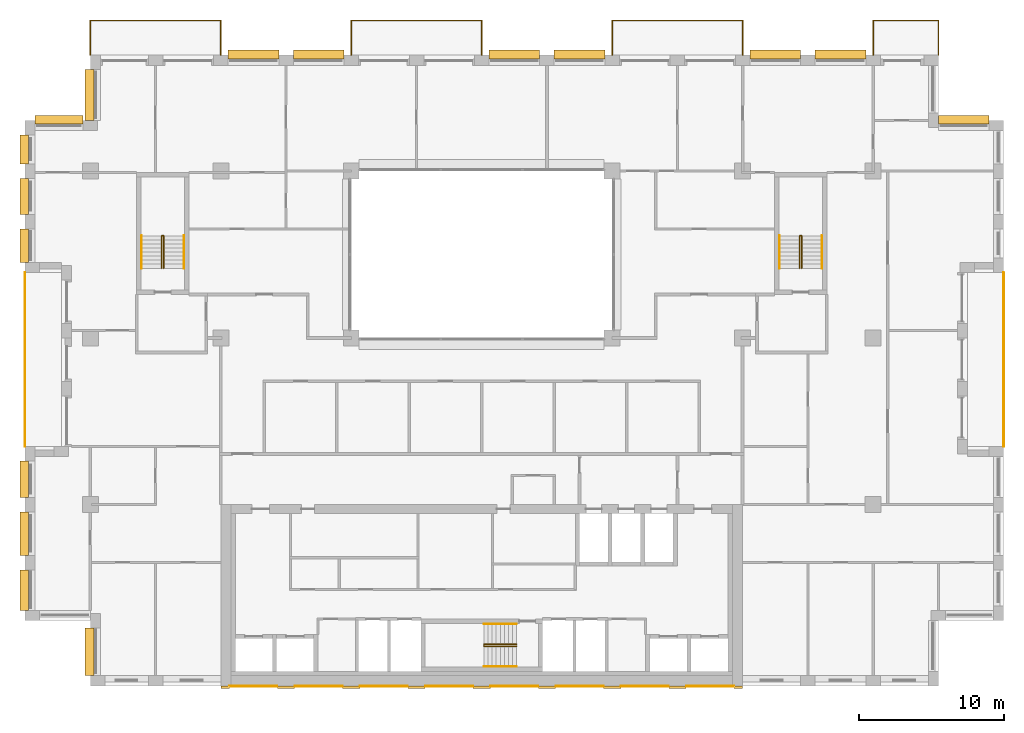
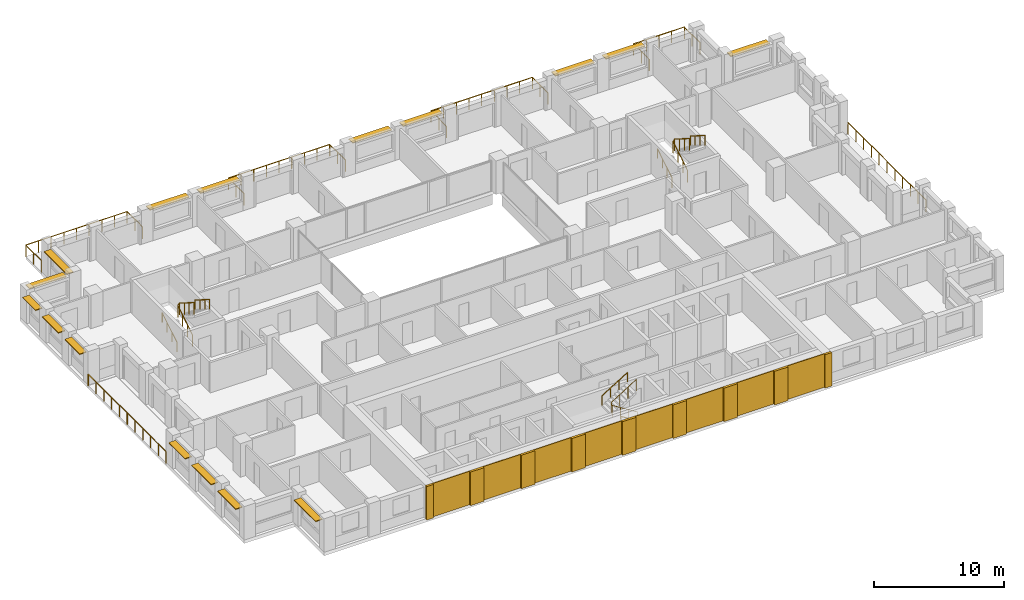
# One storey, part 15 of 15: 17 coverings, 16 shading devices, 15 railings.
"""IFC4 building model written with IfcOpenShell, lengths in metres."""

from ifc_helpers import new_model, si_unit, direction, frame, origin, origin_2d, place, context, subcontext, project, spatial, rectangle, circle, extrude, material, layer, layer_set, type_object, element, save


model = new_model("IFC4")

# Units and contexts
model_context = context("Model", 3, precision=1e-05, world=origin(), true_north=direction((0.0, 1.0)))
body_context = subcontext(model_context, "Body", "Model", "MODEL_VIEW")
ifc_project = project(units=[si_unit("LENGTHUNIT", "METRE"), si_unit("AREAUNIT", "SQUARE_METRE"), si_unit("VOLUMEUNIT", "CUBIC_METRE"), si_unit("PLANEANGLEUNIT", "RADIAN"), si_unit("MASSUNIT", "GRAM", prefix="KILO")], contexts=[model_context])

# Site, building, storey
site_placement = place(None, origin())
site = spatial("IfcSite", under=ifc_project, at=site_placement, CompositionType="ELEMENT")
building_placement = place(site_placement, origin())
building = spatial("IfcBuilding", under=site, at=building_placement, Name="Brigalow Station Residences", CompositionType="ELEMENT")
storey_placement = place(building_placement, frame((0.0, 0.0, 150.75)))
storey = spatial("IfcBuildingStorey", under=building, at=storey_placement, Name="L43", CompositionType="ELEMENT", Elevation=150.75)

# Railings
ifc_material_1 = material(Name="Stainless steel balustrade with laminated glass infill", Category="steel")
railing_type_1 = type_object("IfcRailingType", Name="BALCONY GUARD 1100", PredefinedType="GUARDRAIL", material=ifc_material_1)
railing_1_placement = place(storey_placement, frame((72.0, 16.5, -0.0400390625)))
element("IfcRailing", 1, at=railing_1_placement, inside=storey, type_object=railing_type_1, Name="L43/balcony-guard/1", PredefinedType="GUARDRAIL", context=body_context, shape_type="SweptSolid", body=[
    extrude(circle(Radius=0.02392578125, at=origin_2d()), frame((0.0, 0.0, 1.076171875), z_axis=(0.0, 1.0, 0.0), x_axis=(-1.0, 0.0, 0.0)), (0.0, 0.0, 1.0), 12.0),
    extrude(circle(Radius=0.02099609375, at=origin_2d()), origin(), (0.0, 0.0, 1.0), 1.052001953125),
    extrude(circle(Radius=0.02099609375, at=origin_2d()), frame((0.0, 1.199951171875, 0.0)), (0.0, 0.0, 1.0), 1.052001953125),
    extrude(circle(Radius=0.02099609375, at=origin_2d()), frame((0.0, 2.39990234375, 0.0)), (0.0, 0.0, 1.0), 1.052001953125),
    extrude(circle(Radius=0.02099609375, at=origin_2d()), frame((0.0, 3.60009765625, 0.0)), (0.0, 0.0, 1.0), 1.052001953125),
    extrude(circle(Radius=0.02099609375, at=origin_2d()), frame((0.0, 4.800048828125, 0.0)), (0.0, 0.0, 1.0), 1.052001953125),
    extrude(circle(Radius=0.02099609375, at=origin_2d()), frame((0.0, 6.0, 0.0)), (0.0, 0.0, 1.0), 1.052001953125),
    extrude(circle(Radius=0.02099609375, at=origin_2d()), frame((0.0, 7.199951171875, 0.0)), (0.0, 0.0, 1.0), 1.052001953125),
    extrude(circle(Radius=0.02099609375, at=origin_2d()), frame((0.0, 8.39990234375, 0.0)), (0.0, 0.0, 1.0), 1.052001953125),
    extrude(circle(Radius=0.02099609375, at=origin_2d()), frame((0.0, 9.60009765625, 0.0)), (0.0, 0.0, 1.0), 1.052001953125),
    extrude(circle(Radius=0.02099609375, at=origin_2d()), frame((0.0, 10.800048828125, 0.0)), (0.0, 0.0, 1.0), 1.052001953125),
    extrude(circle(Radius=0.02099609375, at=origin_2d()), frame((0.0, 12.0, 0.0)), (0.0, 0.0, 1.0), 1.052001953125),
])
railing_2_placement = place(storey_placement, frame((67.5, 43.5, -0.0400390625)))
element("IfcRailing", 2, at=railing_2_placement, inside=storey, type_object=railing_type_1, Name="L43/balcony-guard/2", PredefinedType="GUARDRAIL", context=body_context, shape_type="SweptSolid", body=[
    extrude(circle(Radius=0.02392578125, at=origin_2d()), frame((0.0, 0.0, 1.076171875), z_axis=(0.0, 1.0, 0.0), x_axis=(-1.0, 0.0, 0.0)), (0.0, 0.0, 1.0), 2.39990234375),
    extrude(circle(Radius=0.02392578125, at=origin_2d()), frame((0.0, 2.39990234375, 1.076171875), z_axis=(-1.0, 0.0, 0.0), x_axis=(0.0, -1.0, 0.0)), (0.0, 0.0, 1.0), 4.5),
    extrude(circle(Radius=0.02392578125, at=origin_2d()), frame((-4.5, 2.39990234375, 1.076171875), z_axis=(0.0, -1.0, 0.0), x_axis=(1.0, 0.0, 0.0)), (0.0, 0.0, 1.0), 2.39990234375),
    extrude(circle(Radius=0.02099609375, at=origin_2d()), origin(), (0.0, 0.0, 1.0), 1.052001953125),
    extrude(circle(Radius=0.02099609375, at=origin_2d()), frame((0.0, 1.199951171875, 0.0)), (0.0, 0.0, 1.0), 1.052001953125),
    extrude(circle(Radius=0.02099609375, at=origin_2d()), frame((0.0, 2.39990234375, 0.0)), (0.0, 0.0, 1.0), 1.052001953125),
    extrude(circle(Radius=0.02099609375, at=origin_2d()), frame((-1.125, 2.39990234375, 0.0)), (0.0, 0.0, 1.0), 1.052001953125),
    extrude(circle(Radius=0.02099609375, at=origin_2d()), frame((-2.25, 2.39990234375, 0.0)), (0.0, 0.0, 1.0), 1.052001953125),
    extrude(circle(Radius=0.02099609375, at=origin_2d()), frame((-3.375, 2.39990234375, 0.0)), (0.0, 0.0, 1.0), 1.052001953125),
    extrude(circle(Radius=0.02099609375, at=origin_2d()), frame((-4.5, 2.39990234375, 0.0)), (0.0, 0.0, 1.0), 1.052001953125),
    extrude(circle(Radius=0.02099609375, at=origin_2d()), frame((-4.5, 1.199951171875, 0.0)), (0.0, 0.0, 1.0), 1.052001953125),
    extrude(circle(Radius=0.02099609375, at=origin_2d()), frame((-4.5, 0.0, 0.0)), (0.0, 0.0, 1.0), 1.052001953125),
])
railing_3_placement = place(storey_placement, frame((54.0, 43.5, -0.0400390625)))
element("IfcRailing", 3, at=railing_3_placement, inside=storey, type_object=railing_type_1, Name="L43/balcony-guard/3", PredefinedType="GUARDRAIL", context=body_context, shape_type="SweptSolid", body=[
    extrude(circle(Radius=0.02392578125, at=origin_2d()), frame((0.0, 0.0, 1.076171875), z_axis=(0.0, 1.0, 0.0), x_axis=(-1.0, 0.0, 0.0)), (0.0, 0.0, 1.0), 2.39990234375),
    extrude(circle(Radius=0.02392578125, at=origin_2d()), frame((0.0, 2.39990234375, 1.076171875), z_axis=(-1.0, 0.0, 0.0), x_axis=(0.0, -1.0, 0.0)), (0.0, 0.0, 1.0), 9.0),
    extrude(circle(Radius=0.02392578125, at=origin_2d()), frame((-9.0, 2.39990234375, 1.076171875), z_axis=(0.0, -1.0, 0.0), x_axis=(1.0, 0.0, 0.0)), (0.0, 0.0, 1.0), 2.39990234375),
    extrude(circle(Radius=0.02099609375, at=origin_2d()), origin(), (0.0, 0.0, 1.0), 1.052001953125),
    extrude(circle(Radius=0.02099609375, at=origin_2d()), frame((0.0, 1.199951171875, 0.0)), (0.0, 0.0, 1.0), 1.052001953125),
    extrude(circle(Radius=0.02099609375, at=origin_2d()), frame((0.0, 2.39990234375, 0.0)), (0.0, 0.0, 1.0), 1.052001953125),
    extrude(circle(Radius=0.02099609375, at=origin_2d()), frame((-1.125, 2.39990234375, 0.0)), (0.0, 0.0, 1.0), 1.052001953125),
    extrude(circle(Radius=0.02099609375, at=origin_2d()), frame((-2.25, 2.39990234375, 0.0)), (0.0, 0.0, 1.0), 1.052001953125),
    extrude(circle(Radius=0.02099609375, at=origin_2d()), frame((-3.375, 2.39990234375, 0.0)), (0.0, 0.0, 1.0), 1.052001953125),
    extrude(circle(Radius=0.02099609375, at=origin_2d()), frame((-4.5, 2.39990234375, 0.0)), (0.0, 0.0, 1.0), 1.052001953125),
    extrude(circle(Radius=0.02099609375, at=origin_2d()), frame((-5.625, 2.39990234375, 0.0)), (0.0, 0.0, 1.0), 1.052001953125),
    extrude(circle(Radius=0.02099609375, at=origin_2d()), frame((-6.75, 2.39990234375, 0.0)), (0.0, 0.0, 1.0), 1.052001953125),
    extrude(circle(Radius=0.02099609375, at=origin_2d()), frame((-7.875, 2.39990234375, 0.0)), (0.0, 0.0, 1.0), 1.052001953125),
    extrude(circle(Radius=0.02099609375, at=origin_2d()), frame((-9.0, 2.39990234375, 0.0)), (0.0, 0.0, 1.0), 1.052001953125),
    extrude(circle(Radius=0.02099609375, at=origin_2d()), frame((-9.0, 1.199951171875, 0.0)), (0.0, 0.0, 1.0), 1.052001953125),
    extrude(circle(Radius=0.02099609375, at=origin_2d()), frame((-9.0, 0.0, 0.0)), (0.0, 0.0, 1.0), 1.052001953125),
])
railing_4_placement = place(storey_placement, frame((36.0, 43.5, -0.0400390625)))
element("IfcRailing", 4, at=railing_4_placement, inside=storey, type_object=railing_type_1, Name="L43/balcony-guard/4", PredefinedType="GUARDRAIL", context=body_context, shape_type="SweptSolid", body=[
    extrude(circle(Radius=0.02392578125, at=origin_2d()), frame((0.0, 0.0, 1.076171875), z_axis=(0.0, 1.0, 0.0), x_axis=(-1.0, 0.0, 0.0)), (0.0, 0.0, 1.0), 2.39990234375),
    extrude(circle(Radius=0.02392578125, at=origin_2d()), frame((0.0, 2.39990234375, 1.076171875), z_axis=(-1.0, 0.0, 0.0), x_axis=(0.0, -1.0, 0.0)), (0.0, 0.0, 1.0), 9.0),
    extrude(circle(Radius=0.02392578125, at=origin_2d()), frame((-9.0, 2.39990234375, 1.076171875), z_axis=(0.0, -1.0, 0.0), x_axis=(1.0, 0.0, 0.0)), (0.0, 0.0, 1.0), 2.39990234375),
    extrude(circle(Radius=0.02099609375, at=origin_2d()), origin(), (0.0, 0.0, 1.0), 1.052001953125),
    extrude(circle(Radius=0.02099609375, at=origin_2d()), frame((0.0, 1.199951171875, 0.0)), (0.0, 0.0, 1.0), 1.052001953125),
    extrude(circle(Radius=0.02099609375, at=origin_2d()), frame((0.0, 2.39990234375, 0.0)), (0.0, 0.0, 1.0), 1.052001953125),
    extrude(circle(Radius=0.02099609375, at=origin_2d()), frame((-1.125, 2.39990234375, 0.0)), (0.0, 0.0, 1.0), 1.052001953125),
    extrude(circle(Radius=0.02099609375, at=origin_2d()), frame((-2.25, 2.39990234375, 0.0)), (0.0, 0.0, 1.0), 1.052001953125),
    extrude(circle(Radius=0.02099609375, at=origin_2d()), frame((-3.375, 2.39990234375, 0.0)), (0.0, 0.0, 1.0), 1.052001953125),
    extrude(circle(Radius=0.02099609375, at=origin_2d()), frame((-4.5, 2.39990234375, 0.0)), (0.0, 0.0, 1.0), 1.052001953125),
    extrude(circle(Radius=0.02099609375, at=origin_2d()), frame((-5.625, 2.39990234375, 0.0)), (0.0, 0.0, 1.0), 1.052001953125),
    extrude(circle(Radius=0.02099609375, at=origin_2d()), frame((-6.75, 2.39990234375, 0.0)), (0.0, 0.0, 1.0), 1.052001953125),
    extrude(circle(Radius=0.02099609375, at=origin_2d()), frame((-7.875, 2.39990234375, 0.0)), (0.0, 0.0, 1.0), 1.052001953125),
    extrude(circle(Radius=0.02099609375, at=origin_2d()), frame((-9.0, 2.39990234375, 0.0)), (0.0, 0.0, 1.0), 1.052001953125),
    extrude(circle(Radius=0.02099609375, at=origin_2d()), frame((-9.0, 1.199951171875, 0.0)), (0.0, 0.0, 1.0), 1.052001953125),
    extrude(circle(Radius=0.02099609375, at=origin_2d()), frame((-9.0, 0.0, 0.0)), (0.0, 0.0, 1.0), 1.052001953125),
])
railing_5_placement = place(storey_placement, frame((18.0, 43.5, -0.0400390625)))
element("IfcRailing", 5, at=railing_5_placement, inside=storey, type_object=railing_type_1, Name="L43/balcony-guard/5", PredefinedType="GUARDRAIL", context=body_context, shape_type="SweptSolid", body=[
    extrude(circle(Radius=0.02392578125, at=origin_2d()), frame((0.0, 0.0, 1.076171875), z_axis=(0.0, 1.0, 0.0), x_axis=(-1.0, 0.0, 0.0)), (0.0, 0.0, 1.0), 2.39990234375),
    extrude(circle(Radius=0.02392578125, at=origin_2d()), frame((0.0, 2.39990234375, 1.076171875), z_axis=(-1.0, 0.0, 0.0), x_axis=(0.0, -1.0, 0.0)), (0.0, 0.0, 1.0), 9.0),
    extrude(circle(Radius=0.02392578125, at=origin_2d()), frame((-9.0, 2.39990234375, 1.076171875), z_axis=(0.0, -1.0, 0.0), x_axis=(1.0, 0.0, 0.0)), (0.0, 0.0, 1.0), 2.39990234375),
    extrude(circle(Radius=0.02099609375, at=origin_2d()), origin(), (0.0, 0.0, 1.0), 1.052001953125),
    extrude(circle(Radius=0.02099609375, at=origin_2d()), frame((0.0, 1.199951171875, 0.0)), (0.0, 0.0, 1.0), 1.052001953125),
    extrude(circle(Radius=0.02099609375, at=origin_2d()), frame((0.0, 2.39990234375, 0.0)), (0.0, 0.0, 1.0), 1.052001953125),
    extrude(circle(Radius=0.02099609375, at=origin_2d()), frame((-1.125, 2.39990234375, 0.0)), (0.0, 0.0, 1.0), 1.052001953125),
    extrude(circle(Radius=0.02099609375, at=origin_2d()), frame((-2.25, 2.39990234375, 0.0)), (0.0, 0.0, 1.0), 1.052001953125),
    extrude(circle(Radius=0.02099609375, at=origin_2d()), frame((-3.375, 2.39990234375, 0.0)), (0.0, 0.0, 1.0), 1.052001953125),
    extrude(circle(Radius=0.02099609375, at=origin_2d()), frame((-4.5, 2.39990234375, 0.0)), (0.0, 0.0, 1.0), 1.052001953125),
    extrude(circle(Radius=0.02099609375, at=origin_2d()), frame((-5.625, 2.39990234375, 0.0)), (0.0, 0.0, 1.0), 1.052001953125),
    extrude(circle(Radius=0.02099609375, at=origin_2d()), frame((-6.75, 2.39990234375, 0.0)), (0.0, 0.0, 1.0), 1.052001953125),
    extrude(circle(Radius=0.02099609375, at=origin_2d()), frame((-7.875, 2.39990234375, 0.0)), (0.0, 0.0, 1.0), 1.052001953125),
    extrude(circle(Radius=0.02099609375, at=origin_2d()), frame((-9.0, 2.39990234375, 0.0)), (0.0, 0.0, 1.0), 1.052001953125),
    extrude(circle(Radius=0.02099609375, at=origin_2d()), frame((-9.0, 1.199951171875, 0.0)), (0.0, 0.0, 1.0), 1.052001953125),
    extrude(circle(Radius=0.02099609375, at=origin_2d()), frame((-9.0, 0.0, 0.0)), (0.0, 0.0, 1.0), 1.052001953125),
])
railing_6_placement = place(storey_placement, frame((4.5, 28.5, -0.0400390625)))
element("IfcRailing", 6, at=railing_6_placement, inside=storey, type_object=railing_type_1, Name="L43/balcony-guard/6", PredefinedType="GUARDRAIL", context=body_context, shape_type="SweptSolid", body=[
    extrude(circle(Radius=0.02392578125, at=origin_2d()), frame((0.0, 0.0, 1.076171875), z_axis=(0.0, -1.0, 0.0), x_axis=(1.0, 0.0, 0.0)), (0.0, 0.0, 1.0), 12.0),
    extrude(circle(Radius=0.02099609375, at=origin_2d()), origin(), (0.0, 0.0, 1.0), 1.052001953125),
    extrude(circle(Radius=0.02099609375, at=origin_2d()), frame((0.0, -1.199951171875, 0.0)), (0.0, 0.0, 1.0), 1.052001953125),
    extrude(circle(Radius=0.02099609375, at=origin_2d()), frame((0.0, -2.39990234375, 0.0)), (0.0, 0.0, 1.0), 1.052001953125),
    extrude(circle(Radius=0.02099609375, at=origin_2d()), frame((0.0, -3.60009765625, 0.0)), (0.0, 0.0, 1.0), 1.052001953125),
    extrude(circle(Radius=0.02099609375, at=origin_2d()), frame((0.0, -4.800048828125, 0.0)), (0.0, 0.0, 1.0), 1.052001953125),
    extrude(circle(Radius=0.02099609375, at=origin_2d()), frame((0.0, -6.0, 0.0)), (0.0, 0.0, 1.0), 1.052001953125),
    extrude(circle(Radius=0.02099609375, at=origin_2d()), frame((0.0, -7.199951171875, 0.0)), (0.0, 0.0, 1.0), 1.052001953125),
    extrude(circle(Radius=0.02099609375, at=origin_2d()), frame((0.0, -8.39990234375, 0.0)), (0.0, 0.0, 1.0), 1.052001953125),
    extrude(circle(Radius=0.02099609375, at=origin_2d()), frame((0.0, -9.60009765625, 0.0)), (0.0, 0.0, 1.0), 1.052001953125),
    extrude(circle(Radius=0.02099609375, at=origin_2d()), frame((0.0, -10.800048828125, 0.0)), (0.0, 0.0, 1.0), 1.052001953125),
    extrude(circle(Radius=0.02099609375, at=origin_2d()), frame((0.0, -12.0, 0.0)), (0.0, 0.0, 1.0), 1.052001953125),
])

# Coverings
ifc_material_2 = material(Name="Clay brick masonry", Category="masonry")
ifc_layer_1 = layer(ifc_material_2, 0.06005859375)
ifc_layer_set_1 = layer_set([ifc_layer_1], Name="BRICK PANEL FACING 60")
covering_type_1 = type_object("IfcCoveringType", Name="BRICK PANEL FACING 60", PredefinedType="CLADDING", material=ifc_layer_set_1)
for number, where, z_axis, x_axis, name in (
    (7, (20.25, -0.030029296875, 0.0), (0.0, 0.0, 1.0), (1.0, 0.0, 0.0), "L43/rear-facing/panel-1"),
    (8, (24.75, -0.030029296875, 0.0), (0.0, 0.0, 1.0), (1.0, 0.0, 0.0), "L43/rear-facing/panel-2"),
    (9, (29.25, -0.030029296875, 0.0), (0.0, 0.0, 1.0), (1.0, 0.0, 0.0), "L43/rear-facing/panel-3"),
    (10, (33.75, -0.030029296875, 0.0), (0.0, 0.0, 1.0), (1.0, 0.0, 0.0), "L43/rear-facing/panel-4"),
    (11, (38.25, -0.030029296875, 0.0), (0.0, 0.0, 1.0), (1.0, 0.0, 0.0), "L43/rear-facing/panel-5"),
    (12, (42.75, -0.030029296875, 0.0), (0.0, 0.0, 1.0), (1.0, 0.0, 0.0), "L43/rear-facing/panel-6"),
    (13, (47.25, -0.030029296875, 0.0), (0.0, 0.0, 1.0), (1.0, 0.0, 0.0), "L43/rear-facing/panel-7"),
    (14, (51.75, -0.030029296875, 0.0), (0.0, 0.0, 1.0), (1.0, 0.0, 0.0), "L43/rear-facing/panel-8"),
):
    element("IfcCovering", number, at=place(storey_placement, frame(where, z_axis=z_axis, x_axis=x_axis)), inside=storey, type_object=covering_type_1, Name=name, PredefinedType="CLADDING", context=body_context, shape_type="SweptSolid", body=[
        extrude(rectangle(XDim=3.300048828125, YDim=0.06005859375, at=origin_2d()), origin(), (0.0, 0.0, 1.0), 3.14990234375),
    ])
ifc_material_3 = material(Name="Clay brick masonry", Category="masonry")
ifc_layer_2 = layer(ifc_material_3, 0.199951171875)
ifc_layer_set_2 = layer_set([ifc_layer_2], Name="BRICK PIER FACING 200")
covering_type_2 = type_object("IfcCoveringType", Name="BRICK PIER FACING 200", PredefinedType="CLADDING", material=ifc_layer_set_2)
covering_1_placement = place(storey_placement, frame((18.300048828125, -0.10009765625, 0.0), z_axis=(0.0, 0.0, 1.0), x_axis=(1.0, 0.0, 0.0)))
element("IfcCovering", 15, at=covering_1_placement, inside=storey, type_object=covering_type_2, Name="L43/rear-facing/pier-1", PredefinedType="CLADDING", context=body_context, shape_type="SweptSolid", body=[
    extrude(rectangle(XDim=0.60009765625, YDim=0.199951171875, at=origin_2d()), origin(), (0.0, 0.0, 1.0), 3.14990234375),
])
for number, where, z_axis, x_axis, name in (
    (16, (22.5, -0.10009765625, 0.0), (0.0, 0.0, 1.0), (1.0, 0.0, 0.0), "L43/rear-facing/pier-2"),
    (17, (27.0, -0.10009765625, 0.0), (0.0, 0.0, 1.0), (1.0, 0.0, 0.0), "L43/rear-facing/pier-3"),
    (18, (31.5, -0.10009765625, 0.0), (0.0, 0.0, 1.0), (1.0, 0.0, 0.0), "L43/rear-facing/pier-4"),
    (19, (36.0, -0.10009765625, 0.0), (0.0, 0.0, 1.0), (1.0, 0.0, 0.0), "L43/rear-facing/pier-5"),
    (20, (40.5, -0.10009765625, 0.0), (0.0, 0.0, 1.0), (1.0, 0.0, 0.0), "L43/rear-facing/pier-6"),
    (21, (45.0, -0.10009765625, 0.0), (0.0, 0.0, 1.0), (1.0, 0.0, 0.0), "L43/rear-facing/pier-7"),
    (22, (49.5, -0.10009765625, 0.0), (0.0, 0.0, 1.0), (1.0, 0.0, 0.0), "L43/rear-facing/pier-8"),
):
    element("IfcCovering", number, at=place(storey_placement, frame(where, z_axis=z_axis, x_axis=x_axis)), inside=storey, type_object=covering_type_2, Name=name, PredefinedType="CLADDING", context=body_context, shape_type="SweptSolid", body=[
        extrude(rectangle(XDim=1.199951171875, YDim=0.199951171875, at=origin_2d()), origin(), (0.0, 0.0, 1.0), 3.14990234375),
    ])
covering_2_placement = place(storey_placement, frame((53.699951171875, -0.10009765625, 0.0), z_axis=(0.0, 0.0, 1.0), x_axis=(1.0, 0.0, 0.0)))
element("IfcCovering", 23, at=covering_2_placement, inside=storey, type_object=covering_type_2, Name="L43/rear-facing/pier-9", PredefinedType="CLADDING", context=body_context, shape_type="SweptSolid", body=[
    extrude(rectangle(XDim=0.60009765625, YDim=0.199951171875, at=origin_2d()), origin(), (0.0, 0.0, 1.0), 3.14990234375),
])

# Railings
ifc_material_4 = material(Name="Stainless steel balustrade", Category="steel")
railing_type_2 = type_object("IfcRailingType", Name="STAIR GUARD 1100", PredefinedType="GUARDRAIL", material=ifc_material_4)
railing_7_placement = place(storey_placement, frame((38.39990234375, 2.72998046875, 0.175048828125)))
element("IfcRailing", 24, at=railing_7_placement, inside=storey, type_object=railing_type_2, Name="GUARD GR-2", PredefinedType="GUARDRAIL", context=body_context, shape_type="SweptSolid", body=[
    extrude(circle(Radius=0.02392578125, at=origin_2d()), frame((0.0, 0.0, 1.076171875), z_axis=(-0.848013881152, 0.0, 0.529974015752), x_axis=(0.0, -1.0, 0.0)), (0.0, 0.0, 1.0), 2.641357421875),
    extrude(circle(Radius=0.02392578125, at=origin_2d()), frame((-2.239990234375, 0.0, 2.47607421875), z_axis=(0.0, 0.624960567888, 0.780656319122), x_axis=(-1.0, 0.0, 0.0)), (0.0, 0.0, 1.0), 0.22412109375),
    extrude(circle(Radius=0.02392578125, at=origin_2d()), frame((-2.239990234375, 0.14013671875, 2.65087890625), z_axis=(0.848013881152, 0.0, 0.529974015752), x_axis=(0.0, 1.0, 0.0)), (0.0, 0.0, 1.0), 2.641357421875),
    extrude(circle(Radius=0.02099609375, at=origin_2d()), origin(), (0.0, 0.0, 1.0), 1.052001953125),
    extrude(circle(Radius=0.02099609375, at=origin_2d()), frame((-0.74658203125, 0.0, 0.466552734375)), (0.0, 0.0, 1.0), 1.052001953125),
    extrude(circle(Radius=0.02099609375, at=origin_2d()), frame((-1.493408203125, 0.0, 0.933349609375)), (0.0, 0.0, 1.0), 1.052001953125),
    extrude(circle(Radius=0.02099609375, at=origin_2d()), frame((-2.239990234375, 0.0, 1.39990234375)), (0.0, 0.0, 1.0), 1.052001953125),
    extrude(circle(Radius=0.02099609375, at=origin_2d()), frame((-2.239990234375, 0.14013671875, 1.574951171875)), (0.0, 0.0, 1.0), 1.052001953125),
    extrude(circle(Radius=0.02099609375, at=origin_2d()), frame((-1.493408203125, 0.14013671875, 2.04150390625)), (0.0, 0.0, 1.0), 1.052001953125),
    extrude(circle(Radius=0.02099609375, at=origin_2d()), frame((-0.74658203125, 0.14013671875, 2.50830078125)), (0.0, 0.0, 1.0), 1.052001953125),
    extrude(circle(Radius=0.02099609375, at=origin_2d()), frame((0.0, 0.14013671875, 2.974853515625)), (0.0, 0.0, 1.0), 1.052001953125),
])
for number, where, name in (
    (25, (13.929931640625, 28.800048828125, 0.175048828125), "GUARD GR-1"),
    (26, (57.929931640625, 28.800048828125, 0.175048828125), "GUARD GR-3"),
):
    element("IfcRailing", number, at=place(storey_placement, frame(where)), inside=storey, type_object=railing_type_2, Name=name, PredefinedType="GUARDRAIL", context=body_context, shape_type="SweptSolid", body=[
        extrude(circle(Radius=0.02392578125, at=origin_2d()), frame((0.0, 0.0, 1.076171875), z_axis=(0.0, 0.848013881152, 0.529974015752), x_axis=(-1.0, 0.0, 0.0)), (0.0, 0.0, 1.0), 2.641357421875),
        extrude(circle(Radius=0.02392578125, at=origin_2d()), frame((0.0, 2.239990234375, 2.47607421875), z_axis=(0.624960567888, 0.0, 0.780656319122), x_axis=(0.0, 1.0, 0.0)), (0.0, 0.0, 1.0), 0.22412109375),
        extrude(circle(Radius=0.02392578125, at=origin_2d()), frame((0.14013671875, 2.239990234375, 2.65087890625), z_axis=(0.0, -0.848013881152, 0.529974015752), x_axis=(1.0, 0.0, 0.0)), (0.0, 0.0, 1.0), 2.641357421875),
        extrude(circle(Radius=0.02099609375, at=origin_2d()), origin(), (0.0, 0.0, 1.0), 1.052001953125),
        extrude(circle(Radius=0.02099609375, at=origin_2d()), frame((0.0, 0.74658203125, 0.466552734375)), (0.0, 0.0, 1.0), 1.052001953125),
        extrude(circle(Radius=0.02099609375, at=origin_2d()), frame((0.0, 1.493408203125, 0.933349609375)), (0.0, 0.0, 1.0), 1.052001953125),
        extrude(circle(Radius=0.02099609375, at=origin_2d()), frame((0.0, 2.239990234375, 1.39990234375)), (0.0, 0.0, 1.0), 1.052001953125),
        extrude(circle(Radius=0.02099609375, at=origin_2d()), frame((0.14013671875, 2.239990234375, 1.574951171875)), (0.0, 0.0, 1.0), 1.052001953125),
        extrude(circle(Radius=0.02099609375, at=origin_2d()), frame((0.14013671875, 1.493408203125, 2.04150390625)), (0.0, 0.0, 1.0), 1.052001953125),
        extrude(circle(Radius=0.02099609375, at=origin_2d()), frame((0.14013671875, 0.74658203125, 2.50830078125)), (0.0, 0.0, 1.0), 1.052001953125),
        extrude(circle(Radius=0.02099609375, at=origin_2d()), frame((0.14013671875, 0.0, 2.974853515625)), (0.0, 0.0, 1.0), 1.052001953125),
    ])
ifc_material_5 = material(Name="Stainless steel handrail", Category="steel")
railing_type_3 = type_object("IfcRailingType", Name="STAIR HANDRAIL 900", PredefinedType="HANDRAIL", material=ifc_material_5)
railing_8_placement = place(storey_placement, frame((38.39990234375, 1.340087890625, 0.175048828125)))
element("IfcRailing", 27, at=railing_8_placement, inside=storey, type_object=railing_type_3, Name="HANDRAIL HR-21", PredefinedType="HANDRAIL", context=body_context, shape_type="SweptSolid", body=[
    extrude(circle(Radius=0.02392578125, at=origin_2d()), frame((0.0, 0.0, 0.8759765625), z_axis=(-0.848013881152, 0.0, 0.529974015752), x_axis=(0.0, -1.0, 0.0)), (0.0, 0.0, 1.0), 2.641357421875),
    extrude(circle(Radius=0.02099609375, at=origin_2d()), origin(), (0.0, 0.0, 1.0), 0.851806640625),
    extrude(circle(Radius=0.02099609375, at=origin_2d()), frame((-0.74658203125, 0.0, 0.466552734375)), (0.0, 0.0, 1.0), 0.851806640625),
    extrude(circle(Radius=0.02099609375, at=origin_2d()), frame((-1.493408203125, 0.0, 0.933349609375)), (0.0, 0.0, 1.0), 0.851806640625),
    extrude(circle(Radius=0.02099609375, at=origin_2d()), frame((-2.239990234375, 0.0, 1.39990234375)), (0.0, 0.0, 1.0), 0.851806640625),
])
railing_9_placement = place(storey_placement, frame((36.159912109375, 4.260009765625, 1.75)))
element("IfcRailing", 28, at=railing_9_placement, inside=storey, type_object=railing_type_3, Name="HANDRAIL HR-22", PredefinedType="HANDRAIL", context=body_context, shape_type="SweptSolid", body=[
    extrude(circle(Radius=0.02392578125, at=origin_2d()), frame((0.0, 0.0, 0.8759765625), z_axis=(0.848013881152, 0.0, 0.529974015752), x_axis=(0.0, 1.0, 0.0)), (0.0, 0.0, 1.0), 2.641357421875),
    extrude(circle(Radius=0.02099609375, at=origin_2d()), origin(), (0.0, 0.0, 1.0), 0.851806640625),
    extrude(circle(Radius=0.02099609375, at=origin_2d()), frame((0.74658203125, 0.0, 0.466552734375)), (0.0, 0.0, 1.0), 0.851806640625),
    extrude(circle(Radius=0.02099609375, at=origin_2d()), frame((1.493408203125, 0.0, 0.933349609375)), (0.0, 0.0, 1.0), 0.851806640625),
    extrude(circle(Radius=0.02099609375, at=origin_2d()), frame((2.239990234375, 0.0, 1.39990234375)), (0.0, 0.0, 1.0), 0.851806640625),
])
railing_10_placement = place(storey_placement, frame((12.5400390625, 28.800048828125, 0.175048828125)))
element("IfcRailing", 29, at=railing_10_placement, inside=storey, type_object=railing_type_3, Name="HANDRAIL HR-11", PredefinedType="HANDRAIL", context=body_context, shape_type="SweptSolid", body=[
    extrude(circle(Radius=0.02392578125, at=origin_2d()), frame((0.0, 0.0, 0.8759765625), z_axis=(0.0, 0.848013881152, 0.529974015752), x_axis=(-1.0, 0.0, 0.0)), (0.0, 0.0, 1.0), 2.641357421875),
    extrude(circle(Radius=0.02099609375, at=origin_2d()), origin(), (0.0, 0.0, 1.0), 0.851806640625),
    extrude(circle(Radius=0.02099609375, at=origin_2d()), frame((0.0, 0.74658203125, 0.466552734375)), (0.0, 0.0, 1.0), 0.851806640625),
    extrude(circle(Radius=0.02099609375, at=origin_2d()), frame((0.0, 1.493408203125, 0.933349609375)), (0.0, 0.0, 1.0), 0.851806640625),
    extrude(circle(Radius=0.02099609375, at=origin_2d()), frame((0.0, 2.239990234375, 1.39990234375)), (0.0, 0.0, 1.0), 0.851806640625),
])
railing_11_placement = place(storey_placement, frame((15.4599609375, 31.0400390625, 1.75)))
element("IfcRailing", 30, at=railing_11_placement, inside=storey, type_object=railing_type_3, Name="HANDRAIL HR-12", PredefinedType="HANDRAIL", context=body_context, shape_type="SweptSolid", body=[
    extrude(circle(Radius=0.02392578125, at=origin_2d()), frame((0.0, 0.0, 0.8759765625), z_axis=(0.0, -0.848013881152, 0.529974015752), x_axis=(1.0, 0.0, 0.0)), (0.0, 0.0, 1.0), 2.641357421875),
    extrude(circle(Radius=0.02099609375, at=origin_2d()), origin(), (0.0, 0.0, 1.0), 0.851806640625),
    extrude(circle(Radius=0.02099609375, at=origin_2d()), frame((0.0, -0.74658203125, 0.466552734375)), (0.0, 0.0, 1.0), 0.851806640625),
    extrude(circle(Radius=0.02099609375, at=origin_2d()), frame((0.0, -1.493408203125, 0.933349609375)), (0.0, 0.0, 1.0), 0.851806640625),
    extrude(circle(Radius=0.02099609375, at=origin_2d()), frame((0.0, -2.239990234375, 1.39990234375)), (0.0, 0.0, 1.0), 0.851806640625),
])
railing_12_placement = place(storey_placement, frame((56.5400390625, 28.800048828125, 0.175048828125)))
element("IfcRailing", 31, at=railing_12_placement, inside=storey, type_object=railing_type_3, Name="HANDRAIL HR-31", PredefinedType="HANDRAIL", context=body_context, shape_type="SweptSolid", body=[
    extrude(circle(Radius=0.02392578125, at=origin_2d()), frame((0.0, 0.0, 0.8759765625), z_axis=(0.0, 0.848013881152, 0.529974015752), x_axis=(-1.0, 0.0, 0.0)), (0.0, 0.0, 1.0), 2.641357421875),
    extrude(circle(Radius=0.02099609375, at=origin_2d()), origin(), (0.0, 0.0, 1.0), 0.851806640625),
    extrude(circle(Radius=0.02099609375, at=origin_2d()), frame((0.0, 0.74658203125, 0.466552734375)), (0.0, 0.0, 1.0), 0.851806640625),
    extrude(circle(Radius=0.02099609375, at=origin_2d()), frame((0.0, 1.493408203125, 0.933349609375)), (0.0, 0.0, 1.0), 0.851806640625),
    extrude(circle(Radius=0.02099609375, at=origin_2d()), frame((0.0, 2.239990234375, 1.39990234375)), (0.0, 0.0, 1.0), 0.851806640625),
])
railing_13_placement = place(storey_placement, frame((59.4599609375, 31.0400390625, 1.75)))
element("IfcRailing", 32, at=railing_13_placement, inside=storey, type_object=railing_type_3, Name="HANDRAIL HR-32", PredefinedType="HANDRAIL", context=body_context, shape_type="SweptSolid", body=[
    extrude(circle(Radius=0.02392578125, at=origin_2d()), frame((0.0, 0.0, 0.8759765625), z_axis=(0.0, -0.848013881152, 0.529974015752), x_axis=(1.0, 0.0, 0.0)), (0.0, 0.0, 1.0), 2.641357421875),
    extrude(circle(Radius=0.02099609375, at=origin_2d()), origin(), (0.0, 0.0, 1.0), 0.851806640625),
    extrude(circle(Radius=0.02099609375, at=origin_2d()), frame((0.0, -0.74658203125, 0.466552734375)), (0.0, 0.0, 1.0), 0.851806640625),
    extrude(circle(Radius=0.02099609375, at=origin_2d()), frame((0.0, -1.493408203125, 0.933349609375)), (0.0, 0.0, 1.0), 0.851806640625),
    extrude(circle(Radius=0.02099609375, at=origin_2d()), frame((0.0, -2.239990234375, 1.39990234375)), (0.0, 0.0, 1.0), 0.851806640625),
])

# Shading devices
ifc_material_6 = material(Name="Powder-coated extruded aluminium blade", Category="aluminium")
ifc_layer_3 = layer(ifc_material_6, 0.080078125)
ifc_layer_set_3 = layer_set([ifc_layer_3], Name="SUNSHADE BLADE 600x80")
shading_device_type = type_object("IfcShadingDeviceType", Name="SUNSHADE BLADE 600x80", PredefinedType="JALOUSIE", material=ifc_layer_set_3)
for number, where, z_axis, x_axis, name in (
    (33, (69.25, 39.050048828125, 2.550048828125), (0.0, 0.0, 1.0), (-1.0, 0.0, 0.0), "L43/blade/W-L43-20"),
    (34, (60.75, 43.550048828125, 2.550048828125), (0.0, 0.0, 1.0), (-1.0, 0.0, 0.0), "L43/blade/W-L43-23"),
    (35, (56.25, 43.550048828125, 2.550048828125), (0.0, 0.0, 1.0), (-1.0, 0.0, 0.0), "L43/blade/W-L43-24"),
    (36, (42.75, 43.550048828125, 2.550048828125), (0.0, 0.0, 1.0), (-1.0, 0.0, 0.0), "L43/blade/W-L43-27"),
    (37, (38.25, 43.550048828125, 2.550048828125), (0.0, 0.0, 1.0), (-1.0, 0.0, 0.0), "L43/blade/W-L43-28"),
    (38, (24.75, 43.550048828125, 2.550048828125), (0.0, 0.0, 1.0), (-1.0, 0.0, 0.0), "L43/blade/W-L43-31"),
    (39, (20.25, 43.550048828125, 2.550048828125), (0.0, 0.0, 1.0), (-1.0, 0.0, 0.0), "L43/blade/W-L43-32"),
    (40, (8.949951171875, 40.75, 2.550048828125), (0.0, 0.0, 1.0), (0.0, -1.0, 0.0), "L43/blade/W-L43-35"),
):
    element("IfcShadingDevice", number, at=place(storey_placement, frame(where, z_axis=z_axis, x_axis=x_axis)), inside=storey, type_object=shading_device_type, Name=name, PredefinedType="JALOUSIE", context=body_context, shape_type="SweptSolid", body=[
        extrude(rectangle(XDim=3.5, YDim=0.60009765625, at=origin_2d()), origin(), (0.0, 0.0, 1.0), 0.080078125),
    ])
shading_device_1_placement = place(storey_placement, frame((6.85009765625, 39.050048828125, 2.550048828125), z_axis=(0.0, 0.0, 1.0), x_axis=(-1.0, 0.0, 0.0)))
element("IfcShadingDevice", 41, at=shading_device_1_placement, inside=storey, type_object=shading_device_type, Name="L43/blade/W-L43-36", PredefinedType="JALOUSIE", context=body_context, shape_type="SweptSolid", body=[
    extrude(rectangle(XDim=3.300048828125, YDim=0.60009765625, at=origin_2d()), origin(), (0.0, 0.0, 1.0), 0.080078125),
])
shading_device_2_placement = place(storey_placement, frame((4.449951171875, 37.0, 2.550048828125), z_axis=(0.0, 0.0, 1.0), x_axis=(0.0, -1.0, 0.0)))
element("IfcShadingDevice", 42, at=shading_device_2_placement, inside=storey, type_object=shading_device_type, Name="L43/blade/W-L43-37", PredefinedType="JALOUSIE", context=body_context, shape_type="SweptSolid", body=[
    extrude(rectangle(XDim=2.0, YDim=0.60009765625, at=origin_2d()), origin(), (0.0, 0.0, 1.0), 0.080078125),
])
shading_device_3_placement = place(storey_placement, frame((4.449951171875, 33.75, 2.550048828125), z_axis=(0.0, 0.0, 1.0), x_axis=(0.0, -1.0, 0.0)))
element("IfcShadingDevice", 43, at=shading_device_3_placement, inside=storey, type_object=shading_device_type, Name="L43/blade/W-L43-38", PredefinedType="JALOUSIE", context=body_context, shape_type="SweptSolid", body=[
    extrude(rectangle(XDim=2.5, YDim=0.60009765625, at=origin_2d()), origin(), (0.0, 0.0, 1.0), 0.080078125),
])
shading_device_4_placement = place(storey_placement, frame((4.449951171875, 30.35009765625, 2.550048828125), z_axis=(0.0, 0.0, 1.0), x_axis=(0.0, -1.0, 0.0)))
element("IfcShadingDevice", 44, at=shading_device_4_placement, inside=storey, type_object=shading_device_type, Name="L43/blade/W-L43-39", PredefinedType="JALOUSIE", context=body_context, shape_type="SweptSolid", body=[
    extrude(rectangle(XDim=2.300048828125, YDim=0.60009765625, at=origin_2d()), origin(), (0.0, 0.0, 1.0), 0.080078125),
])
shading_device_5_placement = place(storey_placement, frame((4.449951171875, 14.25, 2.550048828125), z_axis=(0.0, 0.0, 1.0), x_axis=(0.0, -1.0, 0.0)))
element("IfcShadingDevice", 45, at=shading_device_5_placement, inside=storey, type_object=shading_device_type, Name="L43/blade/W-L43-45", PredefinedType="JALOUSIE", context=body_context, shape_type="SweptSolid", body=[
    extrude(rectangle(XDim=2.5, YDim=0.60009765625, at=origin_2d()), origin(), (0.0, 0.0, 1.0), 0.080078125),
])
shading_device_6_placement = place(storey_placement, frame((4.449951171875, 10.5, 2.550048828125), z_axis=(0.0, 0.0, 1.0), x_axis=(0.0, -1.0, 0.0)))
element("IfcShadingDevice", 46, at=shading_device_6_placement, inside=storey, type_object=shading_device_type, Name="L43/blade/W-L43-46", PredefinedType="JALOUSIE", context=body_context, shape_type="SweptSolid", body=[
    extrude(rectangle(XDim=3.0, YDim=0.60009765625, at=origin_2d()), origin(), (0.0, 0.0, 1.0), 0.080078125),
])
shading_device_7_placement = place(storey_placement, frame((4.449951171875, 6.60009765625, 2.550048828125), z_axis=(0.0, 0.0, 1.0), x_axis=(0.0, -1.0, 0.0)))
element("IfcShadingDevice", 47, at=shading_device_7_placement, inside=storey, type_object=shading_device_type, Name="L43/blade/W-L43-47", PredefinedType="JALOUSIE", context=body_context, shape_type="SweptSolid", body=[
    extrude(rectangle(XDim=2.800048828125, YDim=0.60009765625, at=origin_2d()), origin(), (0.0, 0.0, 1.0), 0.080078125),
])
shading_device_8_placement = place(storey_placement, frame((8.949951171875, 2.35009765625, 2.550048828125), z_axis=(0.0, 0.0, 1.0), x_axis=(0.0, -1.0, 0.0)))
element("IfcShadingDevice", 48, at=shading_device_8_placement, inside=storey, type_object=shading_device_type, Name="L43/blade/W-L43-49", PredefinedType="JALOUSIE", context=body_context, shape_type="SweptSolid", body=[
    extrude(rectangle(XDim=3.300048828125, YDim=0.60009765625, at=origin_2d()), origin(), (0.0, 0.0, 1.0), 0.080078125),
])

save(model, "model.ifc")
